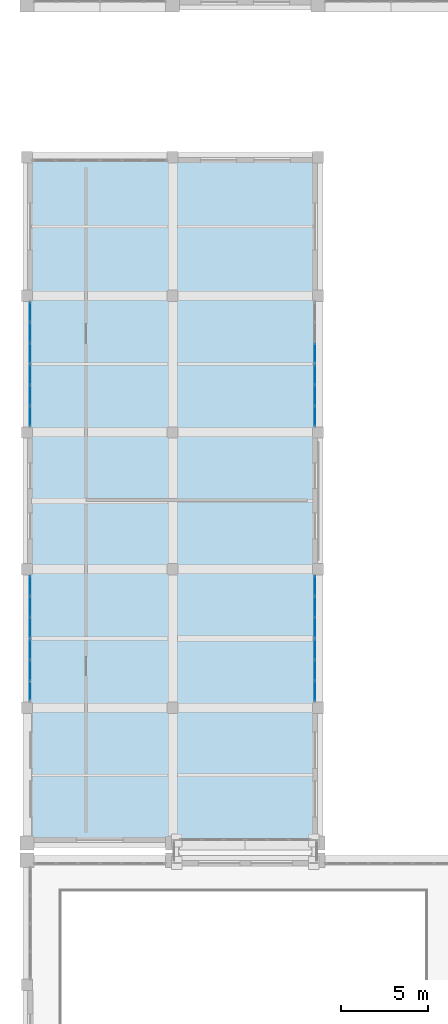
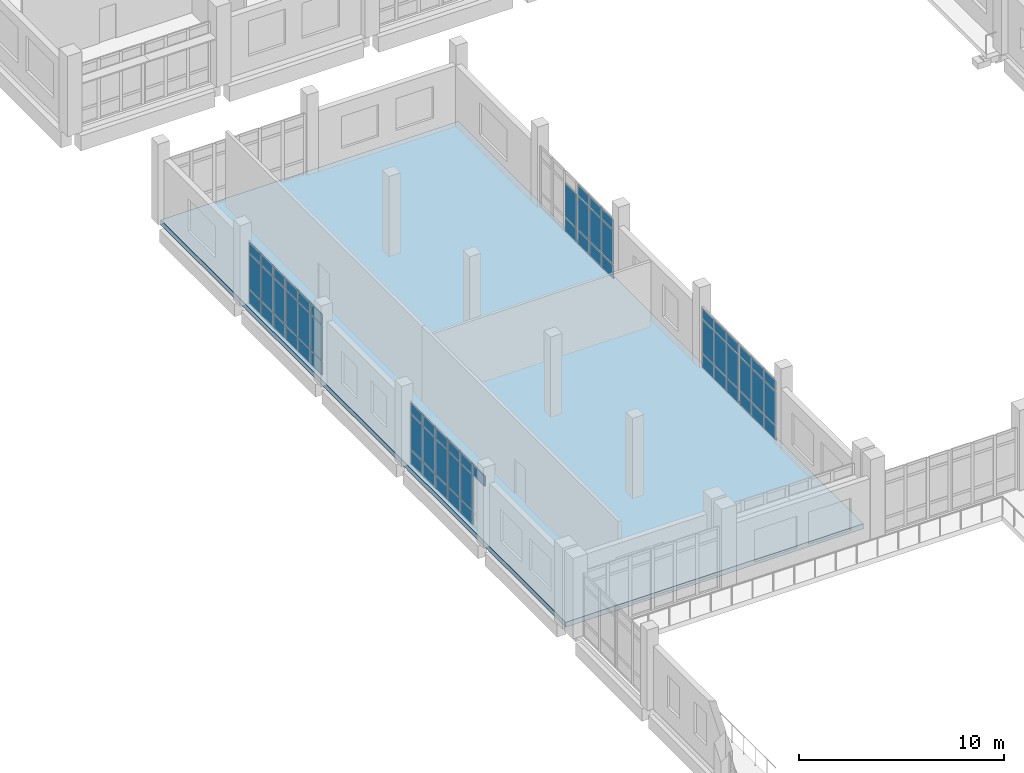
# One storey, part 49 of 90: 63 plates, 1 slab, 8 elements without a shape of their own.
"""IFC4 building model written with IfcOpenShell, lengths in metres."""

import ifcopenshell
import ifcopenshell.guid

model = None  # the IFC model being written
_history = None  # IfcOwnerHistory: only IFC2X3 demands one
_inside = {}  # id of a spatial element -> (the spatial element, [elements in it])
_under = {}  # id of a project, library or spatial element -> (it, [spatial elements below it])
_declared = {}  # id of a project -> (the project, [libraries it declares])
_typed = {}  # id of a type object -> (the type object, [elements of that type])
_made_of = {}  # id of a material, layer set ... -> (it, [elements and type objects made of it])


def new_model(schema):
    """Start an empty IFC model of exactly this schema.

    Asked for "IFC4X3", IfcOpenShell would pick the latest addendum, in which some entities
    have other attributes; the version numbers below select the first issue.
    IFC2X3 requires an IfcOwnerHistory on every rooted entity: one is made here for all.
    """
    global model, _history
    if schema == "IFC4X3":
        model = ifcopenshell.file(schema_version=(4, 3, 0, 0))
    else:
        model = ifcopenshell.file(schema=schema)
    _inside.clear()
    _under.clear()
    _declared.clear()
    _typed.clear()
    _made_of.clear()
    _history = None
    if model.schema == "IFC2X3":
        org = make("IfcOrganization", Name="unknown")
        user = make(
            "IfcPersonAndOrganization",
            ThePerson=make("IfcPerson", FamilyName="unknown"),
            TheOrganization=org,
        )
        app = make(
            "IfcApplication",
            ApplicationDeveloper=org,
            Version="unknown",
            ApplicationFullName="unknown",
            ApplicationIdentifier="unknown",
        )
        _history = make(
            "IfcOwnerHistory",
            OwningUser=user,
            OwningApplication=app,
            ChangeAction="ADDED",
            CreationDate=0,
        )
    return model


def make(cls, **values):
    """One entity of the class cls with the attributes given. An attribute that is None is left unset."""
    return model.create_entity(
        cls, **{name: value for name, value in values.items() if value is not None}
    )


def rooted(cls, **values):
    """An entity with a GlobalId (a new one), such as an element, a storey or a relation."""
    return make(cls, GlobalId=ifcopenshell.guid.new(), OwnerHistory=_history, **values)


def si_unit(unit_type, name, prefix=None):
    """IfcSIUnit, for example si_unit("LENGTHUNIT", "METRE", prefix="MILLI")."""
    return make("IfcSIUnit", UnitType=unit_type, Prefix=prefix, Name=name)


def assignment(units):
    """IfcUnitAssignment: the units of a project."""
    return None if units is None else make("IfcUnitAssignment", Units=units)


def point(xyz):
    """IfcCartesianPoint."""
    return None if xyz is None else make("IfcCartesianPoint", Coordinates=xyz)


def direction(xyz):
    """IfcDirection."""
    return None if xyz is None else make("IfcDirection", DirectionRatios=xyz)


def frame(location, z_axis=None, x_axis=None):
    """IfcAxis2Placement3D, a coordinate frame: its origin and axes. An axis left out is left unset."""
    return make(
        "IfcAxis2Placement3D",
        Location=point(location),
        Axis=direction(z_axis),
        RefDirection=direction(x_axis),
    )


def frame_2d(location, x_axis=None):
    """IfcAxis2Placement2D, a coordinate frame in the plane: its origin and x axis."""
    return make(
        "IfcAxis2Placement2D", Location=point(location), RefDirection=direction(x_axis)
    )


def origin():
    """The frame at (0, 0, 0) with its axes left unset."""
    return frame((0.0, 0.0, 0.0))


def origin_2d():
    """The frame at (0, 0) in the plane with its x axis left unset."""
    return frame_2d((0.0, 0.0))


def place(relative_to, where):
    """IfcLocalPlacement: puts the frame where relative to a parent placement (None: the world)."""
    return make(
        "IfcLocalPlacement", PlacementRelTo=relative_to, RelativePlacement=where
    )


def context(
    kind, dimensions, precision=None, world=None, true_north=None, identifier=None
):
    """IfcGeometricRepresentationContext, for example the 3D "Model" context."""
    return make(
        "IfcGeometricRepresentationContext",
        ContextIdentifier=identifier,
        ContextType=kind,
        CoordinateSpaceDimension=dimensions,
        Precision=precision,
        WorldCoordinateSystem=world,
        TrueNorth=true_north,
    )


def subcontext(parent, identifier, kind, view, scale=None):
    """IfcGeometricRepresentationSubContext, for example "Body" below "Model"."""
    return make(
        "IfcGeometricRepresentationSubContext",
        ContextIdentifier=identifier,
        ContextType=kind,
        ParentContext=parent,
        TargetScale=scale,
        TargetView=view,
    )


def project(units=None, contexts=None):
    """IfcProject with its units and contexts."""
    return rooted(
        "IfcProject",
        Name="project",
        RepresentationContexts=contexts,
        UnitsInContext=assignment(units),
    )


def spatial(cls, under=None, at=None, **own):
    """A site, building, storey or space (cls), placed at a placement, below another one or the project."""
    s = rooted(cls, ObjectPlacement=at, **own)
    if under is not None:
        _under.setdefault(under.id(), (under, []))[1].append(s)
    return s


def polyline(points):
    """IfcPolyline through the points."""
    return make("IfcPolyline", Points=[point(p) for p in points])


def profile(cls, at=None, kind="AREA", **sizes):
    """A parametric profile (cls). Its sizes go by their IFC names, for example OverallWidth=200.0."""
    return make(cls, ProfileType=kind, Position=at, **sizes)


def rectangle(**sizes):
    """IfcRectangleProfileDef."""
    return profile("IfcRectangleProfileDef", **sizes)


def outline(outer, holes=None, kind="AREA"):
    """IfcArbitraryClosedProfileDef: a profile drawn as a closed curve; with holes, ...WithVoids."""
    if holes is None:
        return make("IfcArbitraryClosedProfileDef", ProfileType=kind, OuterCurve=outer)
    return make(
        "IfcArbitraryProfileDefWithVoids",
        ProfileType=kind,
        OuterCurve=outer,
        InnerCurves=holes,
    )


def extrude(swept, where, along, depth):
    """IfcExtrudedAreaSolid: the profile swept, set in the frame where, extruded along a direction by depth."""
    return make(
        "IfcExtrudedAreaSolid",
        SweptArea=swept,
        Position=where,
        ExtrudedDirection=direction(along),
        Depth=depth,
    )


def shape(context_of_items, identifier, shape_type, items):
    """IfcShapeRepresentation: the items that make up one representation, for example the "Body"."""
    return make(
        "IfcShapeRepresentation",
        ContextOfItems=context_of_items,
        RepresentationIdentifier=identifier,
        RepresentationType=shape_type,
        Items=items,
    )


def material(Name=None, Category=None):
    """IfcMaterial."""
    return make("IfcMaterial", Name=Name, Category=Category)


def layer(
    of_material, thickness, ventilated=None, Name=None, Category=None, Priority=None
):
    """IfcMaterialLayer: one layer of a wall or slab, of a material (None: an air gap)."""
    return make(
        "IfcMaterialLayer",
        Material=of_material,
        LayerThickness=thickness,
        IsVentilated=ventilated,
        Name=Name,
        Category=Category,
        Priority=Priority,
    )


def layer_set(layers, Name=None):
    """IfcMaterialLayerSet."""
    return make("IfcMaterialLayerSet", MaterialLayers=layers, LayerSetName=Name)


def made_of(thing, what):
    """Note that an element or type object is made of a material, layer set ...; save() writes the relation."""
    if what is not None:
        _made_of.setdefault(what.id(), (what, []))[1].append(thing)
    return thing


def type_object(cls, material=None, **own):
    """A type object (cls), such as IfcWallType, which elements share."""
    return made_of(rooted(cls, **own), material)


def element(
    cls,
    number,
    at=None,
    inside=None,
    cuts=None,
    type_object=None,
    material=None,
    context=None,
    identifier="Body",
    shape_type=None,
    held_by="IfcProductDefinitionShape",
    body=None,
    shapes=None,
    **own,
):
    """One element of the class cls, such as IfcWall. Its Tag is "e" and its number.

    at: its placement. inside: the storey or other place that contains it. cuts: it is an
    opening in that element (IfcRelVoidsElement). A single representation is given by context,
    identifier, shape_type and body (its items); several are given by shapes. held_by: the class
    of the entity that holds the representations. save() writes the other relations.
    """
    e = rooted(cls, Tag="e%d" % number, ObjectPlacement=at, **own)
    if body is not None:
        shapes = [shape(context, identifier, shape_type, body)]
    if shapes is not None:
        e.Representation = make(held_by, Representations=shapes)
    if inside is not None:
        _inside.setdefault(inside.id(), (inside, []))[1].append(e)
    if cuts is not None:
        rooted(
            "IfcRelVoidsElement", RelatingBuildingElement=cuts, RelatedOpeningElement=e
        )
    if type_object is not None:
        _typed.setdefault(type_object.id(), (type_object, []))[1].append(e)
    return made_of(e, material)


def aggregate(whole, parts):
    """IfcRelAggregates: a whole, such as a stair, and the parts it consists of."""
    return rooted("IfcRelAggregates", RelatingObject=whole, RelatedObjects=parts)


def save(model, path):
    """Write the relations noted so far, then the file.

    IfcRelAggregates (storeys below a building ...), IfcRelContainedInSpatialStructure (elements
    in a storey), IfcRelDefinesByType, IfcRelAssociatesMaterial and IfcRelDeclares: one each for
    every whole, place, type object, material and project.
    """
    for whole, parts in _under.values():
        aggregate(whole, parts)
    for where, things in _inside.values():
        rooted(
            "IfcRelContainedInSpatialStructure",
            RelatedElements=things,
            RelatingStructure=where,
        )
    for kind, things in _typed.values():
        rooted("IfcRelDefinesByType", RelatedObjects=things, RelatingType=kind)
    for what, things in _made_of.values():
        rooted("IfcRelAssociatesMaterial", RelatedObjects=things, RelatingMaterial=what)
    for by, libraries in _declared.values():
        rooted("IfcRelDeclares", RelatingContext=by, RelatedDefinitions=libraries)
    model.write(path)


model = new_model("IFC4")

# Units and contexts
model_context = context("Model", 3, precision=1e-05, world=origin(), true_north=direction((0.0, 1.0)))
body_context = subcontext(model_context, "Body", "Model", "MODEL_VIEW")
ifc_project = project(units=[si_unit("LENGTHUNIT", "METRE"), si_unit("AREAUNIT", "SQUARE_METRE"), si_unit("VOLUMEUNIT", "CUBIC_METRE"), si_unit("PLANEANGLEUNIT", "RADIAN"), si_unit("MASSUNIT", "GRAM", prefix="KILO")], contexts=[model_context])

# Site, building, storey
site_placement = place(None, origin())
site = spatial("IfcSite", under=ifc_project, at=site_placement, CompositionType="ELEMENT")
building_placement = place(site_placement, origin())
building = spatial("IfcBuilding", under=site, at=building_placement, Name="Kelarvand Opera House", CompositionType="ELEMENT")
storey_placement = place(building_placement, frame((0.0, 0.0, 5.39990234375)))
storey = spatial("IfcBuildingStorey", under=building, at=storey_placement, Name="L01", CompositionType="ELEMENT", Elevation=5.39990234375)

# Curtain wall, plates
ifc_material_1 = material(Name="Thermally broken aluminium and low-E glazing", Category="aluminium")
ifc_layer_1 = layer(ifc_material_1, 0.179931640625, Name="Thermally broken aluminium and low-E glazing", Category="aluminium")
ifc_layer_set_1 = layer_set([ifc_layer_1], Name="Thermally broken aluminium and low-E glazing")
curtain_wall_type_1 = type_object("IfcCurtainWallType", Name="Unitised Low-E Curtain Wall 3661x3750 Mod 1350 CWF-28", PredefinedType="USERDEFINED", material=ifc_layer_set_1)
curtain_wall_1_placement = place(storey_placement, origin())
curtain_wall_1 = element("IfcCurtainWall", 1, at=curtain_wall_1_placement, inside=storey, type_object=curtain_wall_type_1, Name="V4 L01 Curtain Wall CWF-28 (139)", ObjectType="UNITISED CURTAIN WALL", PredefinedType="USERDEFINED")
ifc_material_2 = material(Name="Low-E laminated double glazing", Category="glass")
ifc_layer_2 = layer(ifc_material_2, 0.031982421875, Name="Low-E laminated double glazing", Category="glass")
ifc_layer_set_2 = layer_set([ifc_layer_2], Name="Low-E laminated double glazing")
plate_type = type_object("IfcPlateType", Name="Low-E Argon Double Glazed Curtain Panel 32mm", PredefinedType="CURTAIN_PANEL", material=ifc_layer_set_2)
plate_1_placement = place(storey_placement, frame((9.179931640625, 47.5615234375, 3.08251953125), z_axis=(0.0, 0.0, 1.0), x_axis=(0.0, 1.0, 0.0)))
plate_1 = element("IfcPlate", 2, at=plate_1_placement, type_object=plate_type, Name="CWF-28 panel 1.3", PredefinedType="CURTAIN_PANEL", context=body_context, shape_type="SweptSolid", body=[
    extrude(rectangle(XDim=1.122802734375, YDim=0.031982421875, at=origin_2d()), origin(), (0.0, 0.0, 1.0), 0.6025390625),
])
plate_2_placement = place(storey_placement, frame((9.179931640625, 48.765380859375, 0.06494140625), z_axis=(0.0, 0.0, 1.0), x_axis=(0.0, 1.0, 0.0)))
plate_2 = element("IfcPlate", 3, at=plate_2_placement, type_object=plate_type, Name="CWF-28 panel 2.1", PredefinedType="CURTAIN_PANEL", context=body_context, shape_type="SweptSolid", body=[
    extrude(rectangle(XDim=1.1552734375, YDim=0.031982421875, at=origin_2d()), origin(), (0.0, 0.0, 1.0), 0.802490234375),
])
plate_3_placement = place(storey_placement, frame((9.179931640625, 48.765380859375, 0.9326171875), z_axis=(0.0, 0.0, 1.0), x_axis=(0.0, 1.0, 0.0)))
plate_3 = element("IfcPlate", 4, at=plate_3_placement, type_object=plate_type, Name="CWF-28 panel 2.2", PredefinedType="CURTAIN_PANEL", context=body_context, shape_type="SweptSolid", body=[
    extrude(rectangle(XDim=1.1552734375, YDim=0.031982421875, at=origin_2d()), origin(), (0.0, 0.0, 1.0), 2.0849609375),
])
plate_4_placement = place(storey_placement, frame((9.179931640625, 48.765380859375, 3.08251953125), z_axis=(0.0, 0.0, 1.0), x_axis=(0.0, 1.0, 0.0)))
plate_4 = element("IfcPlate", 5, at=plate_4_placement, type_object=plate_type, Name="CWF-28 panel 2.3", PredefinedType="CURTAIN_PANEL", context=body_context, shape_type="SweptSolid", body=[
    extrude(rectangle(XDim=1.1552734375, YDim=0.031982421875, at=origin_2d()), origin(), (0.0, 0.0, 1.0), 0.6025390625),
])
plate_5_placement = place(storey_placement, frame((9.179931640625, 49.969482421875, 0.06494140625), z_axis=(0.0, 0.0, 1.0), x_axis=(0.0, 1.0, 0.0)))
plate_5 = element("IfcPlate", 6, at=plate_5_placement, type_object=plate_type, Name="CWF-28 panel 3.1", PredefinedType="CURTAIN_PANEL", context=body_context, shape_type="SweptSolid", body=[
    extrude(rectangle(XDim=1.122802734375, YDim=0.031982421875, at=origin_2d()), origin(), (0.0, 0.0, 1.0), 0.802490234375),
])
plate_6_placement = place(storey_placement, frame((9.179931640625, 49.969482421875, 0.9326171875), z_axis=(0.0, 0.0, 1.0), x_axis=(0.0, 1.0, 0.0)))
plate_6 = element("IfcPlate", 7, at=plate_6_placement, type_object=plate_type, Name="CWF-28 panel 3.2", PredefinedType="CURTAIN_PANEL", context=body_context, shape_type="SweptSolid", body=[
    extrude(rectangle(XDim=1.122802734375, YDim=0.031982421875, at=origin_2d()), origin(), (0.0, 0.0, 1.0), 2.0849609375),
])
plate_7_placement = place(storey_placement, frame((9.179931640625, 49.969482421875, 3.08251953125), z_axis=(0.0, 0.0, 1.0), x_axis=(0.0, 1.0, 0.0)))
plate_7 = element("IfcPlate", 8, at=plate_7_placement, type_object=plate_type, Name="CWF-28 panel 3.3", PredefinedType="CURTAIN_PANEL", context=body_context, shape_type="SweptSolid", body=[
    extrude(rectangle(XDim=1.122802734375, YDim=0.031982421875, at=origin_2d()), origin(), (0.0, 0.0, 1.0), 0.6025390625),
])
aggregate(curtain_wall_1, [plate_1, plate_2, plate_3, plate_4, plate_5, plate_6, plate_7])

curtain_wall_2_placement = place(storey_placement, origin())
curtain_wall_2 = element("IfcCurtainWall", 9, at=curtain_wall_2_placement, inside=storey, type_object=curtain_wall_type_1, Name="V4 L01 Curtain Wall CWF-28 (140)", ObjectType="UNITISED CURTAIN WALL", PredefinedType="USERDEFINED")
plate_8_placement = place(storey_placement, frame((9.179931640625, 51.22705078125, 0.06494140625), z_axis=(0.0, 0.0, 1.0), x_axis=(0.0, 1.0, 0.0)))
plate_8 = element("IfcPlate", 10, at=plate_8_placement, type_object=plate_type, Name="CWF-28 panel 1.1", PredefinedType="CURTAIN_PANEL", context=body_context, shape_type="SweptSolid", body=[
    extrude(rectangle(XDim=1.124267578125, YDim=0.031982421875, at=origin_2d()), origin(), (0.0, 0.0, 1.0), 0.802490234375),
])
plate_9_placement = place(storey_placement, frame((9.179931640625, 51.22705078125, 0.9326171875), z_axis=(0.0, 0.0, 1.0), x_axis=(0.0, 1.0, 0.0)))
plate_9 = element("IfcPlate", 11, at=plate_9_placement, type_object=plate_type, Name="CWF-28 panel 1.2", PredefinedType="CURTAIN_PANEL", context=body_context, shape_type="SweptSolid", body=[
    extrude(rectangle(XDim=1.124267578125, YDim=0.031982421875, at=origin_2d()), origin(), (0.0, 0.0, 1.0), 2.0849609375),
])
plate_10_placement = place(storey_placement, frame((9.179931640625, 51.22705078125, 3.08251953125), z_axis=(0.0, 0.0, 1.0), x_axis=(0.0, 1.0, 0.0)))
plate_10 = element("IfcPlate", 12, at=plate_10_placement, type_object=plate_type, Name="CWF-28 panel 1.3", PredefinedType="CURTAIN_PANEL", context=body_context, shape_type="SweptSolid", body=[
    extrude(rectangle(XDim=1.124267578125, YDim=0.031982421875, at=origin_2d()), origin(), (0.0, 0.0, 1.0), 0.6025390625),
])
plate_11_placement = place(storey_placement, frame((9.179931640625, 52.4326171875, 0.06494140625), z_axis=(0.0, 0.0, 1.0), x_axis=(0.0, 1.0, 0.0)))
plate_11 = element("IfcPlate", 13, at=plate_11_placement, type_object=plate_type, Name="CWF-28 panel 2.1", PredefinedType="CURTAIN_PANEL", context=body_context, shape_type="SweptSolid", body=[
    extrude(rectangle(XDim=1.15673828125, YDim=0.031982421875, at=origin_2d()), origin(), (0.0, 0.0, 1.0), 0.802490234375),
])
plate_12_placement = place(storey_placement, frame((9.179931640625, 52.4326171875, 0.9326171875), z_axis=(0.0, 0.0, 1.0), x_axis=(0.0, 1.0, 0.0)))
plate_12 = element("IfcPlate", 14, at=plate_12_placement, type_object=plate_type, Name="CWF-28 panel 2.2", PredefinedType="CURTAIN_PANEL", context=body_context, shape_type="SweptSolid", body=[
    extrude(rectangle(XDim=1.15673828125, YDim=0.031982421875, at=origin_2d()), origin(), (0.0, 0.0, 1.0), 2.0849609375),
])
plate_13_placement = place(storey_placement, frame((9.179931640625, 52.4326171875, 3.08251953125), z_axis=(0.0, 0.0, 1.0), x_axis=(0.0, 1.0, 0.0)))
plate_13 = element("IfcPlate", 15, at=plate_13_placement, type_object=plate_type, Name="CWF-28 panel 2.3", PredefinedType="CURTAIN_PANEL", context=body_context, shape_type="SweptSolid", body=[
    extrude(rectangle(XDim=1.15673828125, YDim=0.031982421875, at=origin_2d()), origin(), (0.0, 0.0, 1.0), 0.6025390625),
])
plate_14_placement = place(storey_placement, frame((9.179931640625, 53.637939453125, 0.06494140625), z_axis=(0.0, 0.0, 1.0), x_axis=(0.0, 1.0, 0.0)))
plate_14 = element("IfcPlate", 16, at=plate_14_placement, type_object=plate_type, Name="CWF-28 panel 3.1", PredefinedType="CURTAIN_PANEL", context=body_context, shape_type="SweptSolid", body=[
    extrude(rectangle(XDim=1.124267578125, YDim=0.031982421875, at=origin_2d()), origin(), (0.0, 0.0, 1.0), 0.802490234375),
])
plate_15_placement = place(storey_placement, frame((9.179931640625, 53.637939453125, 0.9326171875), z_axis=(0.0, 0.0, 1.0), x_axis=(0.0, 1.0, 0.0)))
plate_15 = element("IfcPlate", 17, at=plate_15_placement, type_object=plate_type, Name="CWF-28 panel 3.2", PredefinedType="CURTAIN_PANEL", context=body_context, shape_type="SweptSolid", body=[
    extrude(rectangle(XDim=1.124267578125, YDim=0.031982421875, at=origin_2d()), origin(), (0.0, 0.0, 1.0), 2.0849609375),
])
plate_16_placement = place(storey_placement, frame((9.179931640625, 53.637939453125, 3.08251953125), z_axis=(0.0, 0.0, 1.0), x_axis=(0.0, 1.0, 0.0)))
plate_16 = element("IfcPlate", 18, at=plate_16_placement, type_object=plate_type, Name="CWF-28 panel 3.3", PredefinedType="CURTAIN_PANEL", context=body_context, shape_type="SweptSolid", body=[
    extrude(rectangle(XDim=1.124267578125, YDim=0.031982421875, at=origin_2d()), origin(), (0.0, 0.0, 1.0), 0.6025390625),
])
aggregate(curtain_wall_2, [plate_8, plate_9, plate_10, plate_11, plate_12, plate_13, plate_14, plate_15, plate_16])

ifc_layer_3 = layer(ifc_material_1, 0.179931640625, Name="Thermally broken aluminium and low-E glazing", Category="aluminium")
ifc_layer_set_3 = layer_set([ifc_layer_3], Name="Thermally broken aluminium and low-E glazing")
curtain_wall_type_2 = type_object("IfcCurtainWallType", Name="Unitised Low-E Curtain Wall 3611x3750 Mod 1350 CWF-29", PredefinedType="USERDEFINED", material=ifc_layer_set_3)
curtain_wall_3_placement = place(storey_placement, origin())
curtain_wall_3 = element("IfcCurtainWall", 19, at=curtain_wall_3_placement, inside=storey, type_object=curtain_wall_type_2, Name="V4 L01 Curtain Wall CWF-29 (141)", ObjectType="UNITISED CURTAIN WALL", PredefinedType="USERDEFINED")
plate_17_placement = place(storey_placement, frame((9.179931640625, 63.453125, 0.06494140625), z_axis=(0.0, 0.0, 1.0), x_axis=(0.0, 1.0, 0.0)))
plate_17 = element("IfcPlate", 20, at=plate_17_placement, type_object=plate_type, Name="CWF-29 panel 1.1", PredefinedType="CURTAIN_PANEL", context=body_context, shape_type="SweptSolid", body=[
    extrude(rectangle(XDim=1.106201171875, YDim=0.031982421875, at=origin_2d()), origin(), (0.0, 0.0, 1.0), 0.802490234375),
])
plate_18_placement = place(storey_placement, frame((9.179931640625, 63.453125, 0.9326171875), z_axis=(0.0, 0.0, 1.0), x_axis=(0.0, 1.0, 0.0)))
plate_18 = element("IfcPlate", 21, at=plate_18_placement, type_object=plate_type, Name="CWF-29 panel 1.2", PredefinedType="CURTAIN_PANEL", context=body_context, shape_type="SweptSolid", body=[
    extrude(rectangle(XDim=1.106201171875, YDim=0.031982421875, at=origin_2d()), origin(), (0.0, 0.0, 1.0), 2.0849609375),
])
plate_19_placement = place(storey_placement, frame((9.179931640625, 63.453125, 3.08251953125), z_axis=(0.0, 0.0, 1.0), x_axis=(0.0, 1.0, 0.0)))
plate_19 = element("IfcPlate", 22, at=plate_19_placement, type_object=plate_type, Name="CWF-29 panel 1.3", PredefinedType="CURTAIN_PANEL", context=body_context, shape_type="SweptSolid", body=[
    extrude(rectangle(XDim=1.106201171875, YDim=0.031982421875, at=origin_2d()), origin(), (0.0, 0.0, 1.0), 0.6025390625),
])
plate_20_placement = place(storey_placement, frame((9.179931640625, 64.640380859375, 0.06494140625), z_axis=(0.0, 0.0, 1.0), x_axis=(0.0, 1.0, 0.0)))
plate_20 = element("IfcPlate", 23, at=plate_20_placement, type_object=plate_type, Name="CWF-29 panel 2.1", PredefinedType="CURTAIN_PANEL", context=body_context, shape_type="SweptSolid", body=[
    extrude(rectangle(XDim=1.138671875, YDim=0.031982421875, at=origin_2d()), origin(), (0.0, 0.0, 1.0), 0.802490234375),
])
plate_21_placement = place(storey_placement, frame((9.179931640625, 64.640380859375, 0.9326171875), z_axis=(0.0, 0.0, 1.0), x_axis=(0.0, 1.0, 0.0)))
plate_21 = element("IfcPlate", 24, at=plate_21_placement, type_object=plate_type, Name="CWF-29 panel 2.2", PredefinedType="CURTAIN_PANEL", context=body_context, shape_type="SweptSolid", body=[
    extrude(rectangle(XDim=1.138671875, YDim=0.031982421875, at=origin_2d()), origin(), (0.0, 0.0, 1.0), 2.0849609375),
])
plate_22_placement = place(storey_placement, frame((9.179931640625, 64.640380859375, 3.08251953125), z_axis=(0.0, 0.0, 1.0), x_axis=(0.0, 1.0, 0.0)))
plate_22 = element("IfcPlate", 25, at=plate_22_placement, type_object=plate_type, Name="CWF-29 panel 2.3", PredefinedType="CURTAIN_PANEL", context=body_context, shape_type="SweptSolid", body=[
    extrude(rectangle(XDim=1.138671875, YDim=0.031982421875, at=origin_2d()), origin(), (0.0, 0.0, 1.0), 0.6025390625),
])
plate_23_placement = place(storey_placement, frame((9.179931640625, 65.827880859375, 0.06494140625), z_axis=(0.0, 0.0, 1.0), x_axis=(0.0, 1.0, 0.0)))
plate_23 = element("IfcPlate", 26, at=plate_23_placement, type_object=plate_type, Name="CWF-29 panel 3.1", PredefinedType="CURTAIN_PANEL", context=body_context, shape_type="SweptSolid", body=[
    extrude(rectangle(XDim=1.106201171875, YDim=0.031982421875, at=origin_2d()), origin(), (0.0, 0.0, 1.0), 0.802490234375),
])
plate_24_placement = place(storey_placement, frame((9.179931640625, 65.827880859375, 0.9326171875), z_axis=(0.0, 0.0, 1.0), x_axis=(0.0, 1.0, 0.0)))
plate_24 = element("IfcPlate", 27, at=plate_24_placement, type_object=plate_type, Name="CWF-29 panel 3.2", PredefinedType="CURTAIN_PANEL", context=body_context, shape_type="SweptSolid", body=[
    extrude(rectangle(XDim=1.106201171875, YDim=0.031982421875, at=origin_2d()), origin(), (0.0, 0.0, 1.0), 2.0849609375),
])
plate_25_placement = place(storey_placement, frame((9.179931640625, 65.827880859375, 3.08251953125), z_axis=(0.0, 0.0, 1.0), x_axis=(0.0, 1.0, 0.0)))
plate_25 = element("IfcPlate", 28, at=plate_25_placement, type_object=plate_type, Name="CWF-29 panel 3.3", PredefinedType="CURTAIN_PANEL", context=body_context, shape_type="SweptSolid", body=[
    extrude(rectangle(XDim=1.106201171875, YDim=0.031982421875, at=origin_2d()), origin(), (0.0, 0.0, 1.0), 0.6025390625),
])
aggregate(curtain_wall_3, [plate_17, plate_18, plate_19, plate_20, plate_21, plate_22, plate_23, plate_24, plate_25])

curtain_wall_4_placement = place(storey_placement, origin())
curtain_wall_4 = element("IfcCurtainWall", 29, at=curtain_wall_4_placement, inside=storey, type_object=curtain_wall_type_2, Name="V4 L01 Curtain Wall CWF-29 (142)", ObjectType="UNITISED CURTAIN WALL", PredefinedType="USERDEFINED")
plate_26_placement = place(storey_placement, frame((9.179931640625, 67.06884765625, 0.06494140625), z_axis=(0.0, 0.0, 1.0), x_axis=(0.0, 1.0, 0.0)))
plate_26 = element("IfcPlate", 30, at=plate_26_placement, type_object=plate_type, Name="CWF-29 panel 1.1", PredefinedType="CURTAIN_PANEL", context=body_context, shape_type="SweptSolid", body=[
    extrude(rectangle(XDim=1.107421875, YDim=0.031982421875, at=origin_2d()), origin(), (0.0, 0.0, 1.0), 0.802490234375),
])
plate_27_placement = place(storey_placement, frame((9.179931640625, 67.06884765625, 0.9326171875), z_axis=(0.0, 0.0, 1.0), x_axis=(0.0, 1.0, 0.0)))
plate_27 = element("IfcPlate", 31, at=plate_27_placement, type_object=plate_type, Name="CWF-29 panel 1.2", PredefinedType="CURTAIN_PANEL", context=body_context, shape_type="SweptSolid", body=[
    extrude(rectangle(XDim=1.107421875, YDim=0.031982421875, at=origin_2d()), origin(), (0.0, 0.0, 1.0), 2.0849609375),
])
plate_28_placement = place(storey_placement, frame((9.179931640625, 67.06884765625, 3.08251953125), z_axis=(0.0, 0.0, 1.0), x_axis=(0.0, 1.0, 0.0)))
plate_28 = element("IfcPlate", 32, at=plate_28_placement, type_object=plate_type, Name="CWF-29 panel 1.3", PredefinedType="CURTAIN_PANEL", context=body_context, shape_type="SweptSolid", body=[
    extrude(rectangle(XDim=1.107421875, YDim=0.031982421875, at=origin_2d()), origin(), (0.0, 0.0, 1.0), 0.6025390625),
])
plate_29_placement = place(storey_placement, frame((9.179931640625, 68.257568359375, 0.06494140625), z_axis=(0.0, 0.0, 1.0), x_axis=(0.0, 1.0, 0.0)))
plate_29 = element("IfcPlate", 33, at=plate_29_placement, type_object=plate_type, Name="CWF-29 panel 2.1", PredefinedType="CURTAIN_PANEL", context=body_context, shape_type="SweptSolid", body=[
    extrude(rectangle(XDim=1.139892578125, YDim=0.031982421875, at=origin_2d()), origin(), (0.0, 0.0, 1.0), 0.802490234375),
])
plate_30_placement = place(storey_placement, frame((9.179931640625, 68.257568359375, 0.9326171875), z_axis=(0.0, 0.0, 1.0), x_axis=(0.0, 1.0, 0.0)))
plate_30 = element("IfcPlate", 34, at=plate_30_placement, type_object=plate_type, Name="CWF-29 panel 2.2", PredefinedType="CURTAIN_PANEL", context=body_context, shape_type="SweptSolid", body=[
    extrude(rectangle(XDim=1.139892578125, YDim=0.031982421875, at=origin_2d()), origin(), (0.0, 0.0, 1.0), 2.0849609375),
])
plate_31_placement = place(storey_placement, frame((9.179931640625, 68.257568359375, 3.08251953125), z_axis=(0.0, 0.0, 1.0), x_axis=(0.0, 1.0, 0.0)))
plate_31 = element("IfcPlate", 35, at=plate_31_placement, type_object=plate_type, Name="CWF-29 panel 2.3", PredefinedType="CURTAIN_PANEL", context=body_context, shape_type="SweptSolid", body=[
    extrude(rectangle(XDim=1.139892578125, YDim=0.031982421875, at=origin_2d()), origin(), (0.0, 0.0, 1.0), 0.6025390625),
])
plate_32_placement = place(storey_placement, frame((9.179931640625, 69.4462890625, 0.06494140625), z_axis=(0.0, 0.0, 1.0), x_axis=(0.0, 1.0, 0.0)))
plate_32 = element("IfcPlate", 36, at=plate_32_placement, type_object=plate_type, Name="CWF-29 panel 3.1", PredefinedType="CURTAIN_PANEL", context=body_context, shape_type="SweptSolid", body=[
    extrude(rectangle(XDim=1.107421875, YDim=0.031982421875, at=origin_2d()), origin(), (0.0, 0.0, 1.0), 0.802490234375),
])
plate_33_placement = place(storey_placement, frame((9.179931640625, 69.4462890625, 0.9326171875), z_axis=(0.0, 0.0, 1.0), x_axis=(0.0, 1.0, 0.0)))
plate_33 = element("IfcPlate", 37, at=plate_33_placement, type_object=plate_type, Name="CWF-29 panel 3.2", PredefinedType="CURTAIN_PANEL", context=body_context, shape_type="SweptSolid", body=[
    extrude(rectangle(XDim=1.107421875, YDim=0.031982421875, at=origin_2d()), origin(), (0.0, 0.0, 1.0), 2.0849609375),
])
plate_34_placement = place(storey_placement, frame((9.179931640625, 69.4462890625, 3.08251953125), z_axis=(0.0, 0.0, 1.0), x_axis=(0.0, 1.0, 0.0)))
plate_34 = element("IfcPlate", 38, at=plate_34_placement, type_object=plate_type, Name="CWF-29 panel 3.3", PredefinedType="CURTAIN_PANEL", context=body_context, shape_type="SweptSolid", body=[
    extrude(rectangle(XDim=1.107421875, YDim=0.031982421875, at=origin_2d()), origin(), (0.0, 0.0, 1.0), 0.6025390625),
])
aggregate(curtain_wall_4, [plate_26, plate_27, plate_28, plate_29, plate_30, plate_31, plate_32, plate_33, plate_34])

ifc_layer_4 = layer(ifc_material_1, 0.179931640625, Name="Thermally broken aluminium and low-E glazing", Category="aluminium")
ifc_layer_set_4 = layer_set([ifc_layer_4], Name="Thermally broken aluminium and low-E glazing")
curtain_wall_type_3 = type_object("IfcCurtainWallType", Name="Unitised Low-E Curtain Wall 3611x3650 Mod 1350 CWF-31", PredefinedType="USERDEFINED", material=ifc_layer_set_4)
curtain_wall_5_placement = place(storey_placement, origin())
curtain_wall_5 = element("IfcCurtainWall", 39, at=curtain_wall_5_placement, inside=storey, type_object=curtain_wall_type_3, Name="V4 L01 Curtain Wall CWF-31 (145)", ObjectType="UNITISED CURTAIN WALL", PredefinedType="USERDEFINED")
plate_35_placement = place(storey_placement, frame((25.6201171875, 67.072021484375, 0.06494140625), z_axis=(0.0, 0.0, 1.0), x_axis=(0.0, -1.0, 0.0)))
plate_35 = element("IfcPlate", 40, at=plate_35_placement, type_object=plate_type, Name="CWF-31 panel 3.1", PredefinedType="CURTAIN_PANEL", context=body_context, shape_type="SweptSolid", body=[
    extrude(rectangle(XDim=1.106201171875, YDim=0.031982421875, at=origin_2d()), origin(), (0.0, 0.0, 1.0), 0.802490234375),
])
plate_36_placement = place(storey_placement, frame((25.6201171875, 67.072021484375, 0.9326171875), z_axis=(0.0, 0.0, 1.0), x_axis=(0.0, -1.0, 0.0)))
plate_36 = element("IfcPlate", 41, at=plate_36_placement, type_object=plate_type, Name="CWF-31 panel 3.2", PredefinedType="CURTAIN_PANEL", context=body_context, shape_type="SweptSolid", body=[
    extrude(rectangle(XDim=1.106201171875, YDim=0.031982421875, at=origin_2d()), origin(), (0.0, 0.0, 1.0), 1.985107421875),
])
aggregate(curtain_wall_5, [plate_35, plate_36])

curtain_wall_6_placement = place(storey_placement, origin())
curtain_wall_6 = element("IfcCurtainWall", 42, at=curtain_wall_6_placement, inside=storey, type_object=curtain_wall_type_3, Name="V4 L01 Curtain Wall CWF-31 (146)", ObjectType="UNITISED CURTAIN WALL", PredefinedType="USERDEFINED")
plate_37_placement = place(storey_placement, frame((25.6201171875, 65.831298828125, 0.06494140625), z_axis=(0.0, 0.0, 1.0), x_axis=(0.0, -1.0, 0.0)))
plate_37 = element("IfcPlate", 43, at=plate_37_placement, type_object=plate_type, Name="CWF-31 panel 1.1", PredefinedType="CURTAIN_PANEL", context=body_context, shape_type="SweptSolid", body=[
    extrude(rectangle(XDim=1.107421875, YDim=0.031982421875, at=origin_2d()), origin(), (0.0, 0.0, 1.0), 0.802490234375),
])
plate_38_placement = place(storey_placement, frame((25.6201171875, 65.831298828125, 0.9326171875), z_axis=(0.0, 0.0, 1.0), x_axis=(0.0, -1.0, 0.0)))
plate_38 = element("IfcPlate", 44, at=plate_38_placement, type_object=plate_type, Name="CWF-31 panel 1.2", PredefinedType="CURTAIN_PANEL", context=body_context, shape_type="SweptSolid", body=[
    extrude(rectangle(XDim=1.107421875, YDim=0.031982421875, at=origin_2d()), origin(), (0.0, 0.0, 1.0), 1.985107421875),
])
plate_39_placement = place(storey_placement, frame((25.6201171875, 65.831298828125, 2.982666015625), z_axis=(0.0, 0.0, 1.0), x_axis=(0.0, -1.0, 0.0)))
plate_39 = element("IfcPlate", 45, at=plate_39_placement, type_object=plate_type, Name="CWF-31 panel 1.3", PredefinedType="CURTAIN_PANEL", context=body_context, shape_type="SweptSolid", body=[
    extrude(rectangle(XDim=1.107421875, YDim=0.031982421875, at=origin_2d()), origin(), (0.0, 0.0, 1.0), 0.6025390625),
])
plate_40_placement = place(storey_placement, frame((25.6201171875, 64.642578125, 0.06494140625), z_axis=(0.0, 0.0, 1.0), x_axis=(0.0, -1.0, 0.0)))
plate_40 = element("IfcPlate", 46, at=plate_40_placement, type_object=plate_type, Name="CWF-31 panel 2.1", PredefinedType="CURTAIN_PANEL", context=body_context, shape_type="SweptSolid", body=[
    extrude(rectangle(XDim=1.139892578125, YDim=0.031982421875, at=origin_2d()), origin(), (0.0, 0.0, 1.0), 0.802490234375),
])
plate_41_placement = place(storey_placement, frame((25.6201171875, 64.642578125, 0.9326171875), z_axis=(0.0, 0.0, 1.0), x_axis=(0.0, -1.0, 0.0)))
plate_41 = element("IfcPlate", 47, at=plate_41_placement, type_object=plate_type, Name="CWF-31 panel 2.2", PredefinedType="CURTAIN_PANEL", context=body_context, shape_type="SweptSolid", body=[
    extrude(rectangle(XDim=1.139892578125, YDim=0.031982421875, at=origin_2d()), origin(), (0.0, 0.0, 1.0), 1.985107421875),
])
plate_42_placement = place(storey_placement, frame((25.6201171875, 64.642578125, 2.982666015625), z_axis=(0.0, 0.0, 1.0), x_axis=(0.0, -1.0, 0.0)))
plate_42 = element("IfcPlate", 48, at=plate_42_placement, type_object=plate_type, Name="CWF-31 panel 2.3", PredefinedType="CURTAIN_PANEL", context=body_context, shape_type="SweptSolid", body=[
    extrude(rectangle(XDim=1.139892578125, YDim=0.031982421875, at=origin_2d()), origin(), (0.0, 0.0, 1.0), 0.6025390625),
])
plate_43_placement = place(storey_placement, frame((25.6201171875, 63.453857421875, 0.06494140625), z_axis=(0.0, 0.0, 1.0), x_axis=(0.0, -1.0, 0.0)))
plate_43 = element("IfcPlate", 49, at=plate_43_placement, type_object=plate_type, Name="CWF-31 panel 3.1", PredefinedType="CURTAIN_PANEL", context=body_context, shape_type="SweptSolid", body=[
    extrude(rectangle(XDim=1.107421875, YDim=0.031982421875, at=origin_2d()), origin(), (0.0, 0.0, 1.0), 0.802490234375),
])
plate_44_placement = place(storey_placement, frame((25.6201171875, 63.453857421875, 0.9326171875), z_axis=(0.0, 0.0, 1.0), x_axis=(0.0, -1.0, 0.0)))
plate_44 = element("IfcPlate", 50, at=plate_44_placement, type_object=plate_type, Name="CWF-31 panel 3.2", PredefinedType="CURTAIN_PANEL", context=body_context, shape_type="SweptSolid", body=[
    extrude(rectangle(XDim=1.107421875, YDim=0.031982421875, at=origin_2d()), origin(), (0.0, 0.0, 1.0), 1.985107421875),
])
plate_45_placement = place(storey_placement, frame((25.6201171875, 63.453857421875, 2.982666015625), z_axis=(0.0, 0.0, 1.0), x_axis=(0.0, -1.0, 0.0)))
plate_45 = element("IfcPlate", 51, at=plate_45_placement, type_object=plate_type, Name="CWF-31 panel 3.3", PredefinedType="CURTAIN_PANEL", context=body_context, shape_type="SweptSolid", body=[
    extrude(rectangle(XDim=1.107421875, YDim=0.031982421875, at=origin_2d()), origin(), (0.0, 0.0, 1.0), 0.6025390625),
])
aggregate(curtain_wall_6, [plate_37, plate_38, plate_39, plate_40, plate_41, plate_42, plate_43, plate_44, plate_45])

ifc_layer_5 = layer(ifc_material_1, 0.179931640625, Name="Thermally broken aluminium and low-E glazing", Category="aluminium")
ifc_layer_set_5 = layer_set([ifc_layer_5], Name="Thermally broken aluminium and low-E glazing")
curtain_wall_type_4 = type_object("IfcCurtainWallType", Name="Unitised Low-E Curtain Wall 3661x3650 Mod 1350 CWF-32", PredefinedType="USERDEFINED", material=ifc_layer_set_5)
curtain_wall_7_placement = place(storey_placement, origin())
curtain_wall_7 = element("IfcCurtainWall", 52, at=curtain_wall_7_placement, inside=storey, type_object=curtain_wall_type_4, Name="V4 L01 Curtain Wall CWF-32 (147)", ObjectType="UNITISED CURTAIN WALL", PredefinedType="USERDEFINED")
plate_46_placement = place(storey_placement, frame((25.6201171875, 53.638671875, 0.06494140625), z_axis=(0.0, 0.0, 1.0), x_axis=(0.0, -1.0, 0.0)))
plate_46 = element("IfcPlate", 53, at=plate_46_placement, type_object=plate_type, Name="CWF-32 panel 1.1", PredefinedType="CURTAIN_PANEL", context=body_context, shape_type="SweptSolid", body=[
    extrude(rectangle(XDim=1.122802734375, YDim=0.031982421875, at=origin_2d()), origin(), (0.0, 0.0, 1.0), 0.802490234375),
])
plate_47_placement = place(storey_placement, frame((25.6201171875, 53.638671875, 0.9326171875), z_axis=(0.0, 0.0, 1.0), x_axis=(0.0, -1.0, 0.0)))
plate_47 = element("IfcPlate", 54, at=plate_47_placement, type_object=plate_type, Name="CWF-32 panel 1.2", PredefinedType="CURTAIN_PANEL", context=body_context, shape_type="SweptSolid", body=[
    extrude(rectangle(XDim=1.122802734375, YDim=0.031982421875, at=origin_2d()), origin(), (0.0, 0.0, 1.0), 1.985107421875),
])
plate_48_placement = place(storey_placement, frame((25.6201171875, 53.638671875, 2.982666015625), z_axis=(0.0, 0.0, 1.0), x_axis=(0.0, -1.0, 0.0)))
plate_48 = element("IfcPlate", 55, at=plate_48_placement, type_object=plate_type, Name="CWF-32 panel 1.3", PredefinedType="CURTAIN_PANEL", context=body_context, shape_type="SweptSolid", body=[
    extrude(rectangle(XDim=1.122802734375, YDim=0.031982421875, at=origin_2d()), origin(), (0.0, 0.0, 1.0), 0.6025390625),
])
plate_49_placement = place(storey_placement, frame((25.6201171875, 52.4345703125, 0.06494140625), z_axis=(0.0, 0.0, 1.0), x_axis=(0.0, -1.0, 0.0)))
plate_49 = element("IfcPlate", 56, at=plate_49_placement, type_object=plate_type, Name="CWF-32 panel 2.1", PredefinedType="CURTAIN_PANEL", context=body_context, shape_type="SweptSolid", body=[
    extrude(rectangle(XDim=1.1552734375, YDim=0.031982421875, at=origin_2d()), origin(), (0.0, 0.0, 1.0), 0.802490234375),
])
plate_50_placement = place(storey_placement, frame((25.6201171875, 52.4345703125, 0.9326171875), z_axis=(0.0, 0.0, 1.0), x_axis=(0.0, -1.0, 0.0)))
plate_50 = element("IfcPlate", 57, at=plate_50_placement, type_object=plate_type, Name="CWF-32 panel 2.2", PredefinedType="CURTAIN_PANEL", context=body_context, shape_type="SweptSolid", body=[
    extrude(rectangle(XDim=1.1552734375, YDim=0.031982421875, at=origin_2d()), origin(), (0.0, 0.0, 1.0), 1.985107421875),
])
plate_51_placement = place(storey_placement, frame((25.6201171875, 52.4345703125, 2.982666015625), z_axis=(0.0, 0.0, 1.0), x_axis=(0.0, -1.0, 0.0)))
plate_51 = element("IfcPlate", 58, at=plate_51_placement, type_object=plate_type, Name="CWF-32 panel 2.3", PredefinedType="CURTAIN_PANEL", context=body_context, shape_type="SweptSolid", body=[
    extrude(rectangle(XDim=1.1552734375, YDim=0.031982421875, at=origin_2d()), origin(), (0.0, 0.0, 1.0), 0.6025390625),
])
plate_52_placement = place(storey_placement, frame((25.6201171875, 51.23046875, 0.06494140625), z_axis=(0.0, 0.0, 1.0), x_axis=(0.0, -1.0, 0.0)))
plate_52 = element("IfcPlate", 59, at=plate_52_placement, type_object=plate_type, Name="CWF-32 panel 3.1", PredefinedType="CURTAIN_PANEL", context=body_context, shape_type="SweptSolid", body=[
    extrude(rectangle(XDim=1.122802734375, YDim=0.031982421875, at=origin_2d()), origin(), (0.0, 0.0, 1.0), 0.802490234375),
])
plate_53_placement = place(storey_placement, frame((25.6201171875, 51.23046875, 0.9326171875), z_axis=(0.0, 0.0, 1.0), x_axis=(0.0, -1.0, 0.0)))
plate_53 = element("IfcPlate", 60, at=plate_53_placement, type_object=plate_type, Name="CWF-32 panel 3.2", PredefinedType="CURTAIN_PANEL", context=body_context, shape_type="SweptSolid", body=[
    extrude(rectangle(XDim=1.122802734375, YDim=0.031982421875, at=origin_2d()), origin(), (0.0, 0.0, 1.0), 1.985107421875),
])
plate_54_placement = place(storey_placement, frame((25.6201171875, 51.23046875, 2.982666015625), z_axis=(0.0, 0.0, 1.0), x_axis=(0.0, -1.0, 0.0)))
plate_54 = element("IfcPlate", 61, at=plate_54_placement, type_object=plate_type, Name="CWF-32 panel 3.3", PredefinedType="CURTAIN_PANEL", context=body_context, shape_type="SweptSolid", body=[
    extrude(rectangle(XDim=1.122802734375, YDim=0.031982421875, at=origin_2d()), origin(), (0.0, 0.0, 1.0), 0.6025390625),
])
aggregate(curtain_wall_7, [plate_46, plate_47, plate_48, plate_49, plate_50, plate_51, plate_52, plate_53, plate_54])

curtain_wall_8_placement = place(storey_placement, origin())
curtain_wall_8 = element("IfcCurtainWall", 62, at=curtain_wall_8_placement, inside=storey, type_object=curtain_wall_type_4, Name="V4 L01 Curtain Wall CWF-32 (148)", ObjectType="UNITISED CURTAIN WALL", PredefinedType="USERDEFINED")
plate_55_placement = place(storey_placement, frame((25.6201171875, 49.972900390625, 0.06494140625), z_axis=(0.0, 0.0, 1.0), x_axis=(0.0, -1.0, 0.0)))
plate_55 = element("IfcPlate", 63, at=plate_55_placement, type_object=plate_type, Name="CWF-32 panel 1.1", PredefinedType="CURTAIN_PANEL", context=body_context, shape_type="SweptSolid", body=[
    extrude(rectangle(XDim=1.124267578125, YDim=0.031982421875, at=origin_2d()), origin(), (0.0, 0.0, 1.0), 0.802490234375),
])
plate_56_placement = place(storey_placement, frame((25.6201171875, 49.972900390625, 0.9326171875), z_axis=(0.0, 0.0, 1.0), x_axis=(0.0, -1.0, 0.0)))
plate_56 = element("IfcPlate", 64, at=plate_56_placement, type_object=plate_type, Name="CWF-32 panel 1.2", PredefinedType="CURTAIN_PANEL", context=body_context, shape_type="SweptSolid", body=[
    extrude(rectangle(XDim=1.124267578125, YDim=0.031982421875, at=origin_2d()), origin(), (0.0, 0.0, 1.0), 1.985107421875),
])
plate_57_placement = place(storey_placement, frame((25.6201171875, 49.972900390625, 2.982666015625), z_axis=(0.0, 0.0, 1.0), x_axis=(0.0, -1.0, 0.0)))
plate_57 = element("IfcPlate", 65, at=plate_57_placement, type_object=plate_type, Name="CWF-32 panel 1.3", PredefinedType="CURTAIN_PANEL", context=body_context, shape_type="SweptSolid", body=[
    extrude(rectangle(XDim=1.124267578125, YDim=0.031982421875, at=origin_2d()), origin(), (0.0, 0.0, 1.0), 0.6025390625),
])
plate_58_placement = place(storey_placement, frame((25.6201171875, 48.767578125, 0.06494140625), z_axis=(0.0, 0.0, 1.0), x_axis=(0.0, -1.0, 0.0)))
plate_58 = element("IfcPlate", 66, at=plate_58_placement, type_object=plate_type, Name="CWF-32 panel 2.1", PredefinedType="CURTAIN_PANEL", context=body_context, shape_type="SweptSolid", body=[
    extrude(rectangle(XDim=1.15673828125, YDim=0.031982421875, at=origin_2d()), origin(), (0.0, 0.0, 1.0), 0.802490234375),
])
plate_59_placement = place(storey_placement, frame((25.6201171875, 48.767578125, 0.9326171875), z_axis=(0.0, 0.0, 1.0), x_axis=(0.0, -1.0, 0.0)))
plate_59 = element("IfcPlate", 67, at=plate_59_placement, type_object=plate_type, Name="CWF-32 panel 2.2", PredefinedType="CURTAIN_PANEL", context=body_context, shape_type="SweptSolid", body=[
    extrude(rectangle(XDim=1.15673828125, YDim=0.031982421875, at=origin_2d()), origin(), (0.0, 0.0, 1.0), 1.985107421875),
])
plate_60_placement = place(storey_placement, frame((25.6201171875, 48.767578125, 2.982666015625), z_axis=(0.0, 0.0, 1.0), x_axis=(0.0, -1.0, 0.0)))
plate_60 = element("IfcPlate", 68, at=plate_60_placement, type_object=plate_type, Name="CWF-32 panel 2.3", PredefinedType="CURTAIN_PANEL", context=body_context, shape_type="SweptSolid", body=[
    extrude(rectangle(XDim=1.15673828125, YDim=0.031982421875, at=origin_2d()), origin(), (0.0, 0.0, 1.0), 0.6025390625),
])
plate_61_placement = place(storey_placement, frame((25.6201171875, 47.56201171875, 0.06494140625), z_axis=(0.0, 0.0, 1.0), x_axis=(0.0, -1.0, 0.0)))
plate_61 = element("IfcPlate", 69, at=plate_61_placement, type_object=plate_type, Name="CWF-32 panel 3.1", PredefinedType="CURTAIN_PANEL", context=body_context, shape_type="SweptSolid", body=[
    extrude(rectangle(XDim=1.124267578125, YDim=0.031982421875, at=origin_2d()), origin(), (0.0, 0.0, 1.0), 0.802490234375),
])
plate_62_placement = place(storey_placement, frame((25.6201171875, 47.56201171875, 0.9326171875), z_axis=(0.0, 0.0, 1.0), x_axis=(0.0, -1.0, 0.0)))
plate_62 = element("IfcPlate", 70, at=plate_62_placement, type_object=plate_type, Name="CWF-32 panel 3.2", PredefinedType="CURTAIN_PANEL", context=body_context, shape_type="SweptSolid", body=[
    extrude(rectangle(XDim=1.124267578125, YDim=0.031982421875, at=origin_2d()), origin(), (0.0, 0.0, 1.0), 1.985107421875),
])
plate_63_placement = place(storey_placement, frame((25.6201171875, 47.56201171875, 2.982666015625), z_axis=(0.0, 0.0, 1.0), x_axis=(0.0, -1.0, 0.0)))
plate_63 = element("IfcPlate", 71, at=plate_63_placement, type_object=plate_type, Name="CWF-32 panel 3.3", PredefinedType="CURTAIN_PANEL", context=body_context, shape_type="SweptSolid", body=[
    extrude(rectangle(XDim=1.124267578125, YDim=0.031982421875, at=origin_2d()), origin(), (0.0, 0.0, 1.0), 0.6025390625),
])
aggregate(curtain_wall_8, [plate_55, plate_56, plate_57, plate_58, plate_59, plate_60, plate_61, plate_62, plate_63])

# Slab
ifc_material_3 = material(Name="Concrete C35/45", Category="concrete")
ifc_layer_6 = layer(ifc_material_3, 0.300048828125, Name="Concrete C35/45", Category="concrete")
ifc_layer_set_6 = layer_set([ifc_layer_6], Name="Concrete C35/45")
slab_type = type_object("IfcSlabType", Name="Suspended Floor Slab 300", PredefinedType="FLOOR", material=ifc_layer_set_6)
slab_placement = place(storey_placement, frame((0.0, 0.0, -0.2998046875)))
element("IfcSlab", 72, at=slab_placement, inside=storey, type_object=slab_type, Name="V4 L01 Structural Slab 31", PredefinedType="FLOOR", context=body_context, shape_type="SweptSolid", body=[
    extrude(outline(polyline([(9.0, 38.800048828125), (9.0, 78.39990234375), (25.800048828125, 78.39990234375), (25.800048828125, 38.800048828125), (9.0, 38.800048828125)])), origin(), (0.0, 0.0, 1.0), 0.2998046875),
])

save(model, "model.ifc")
